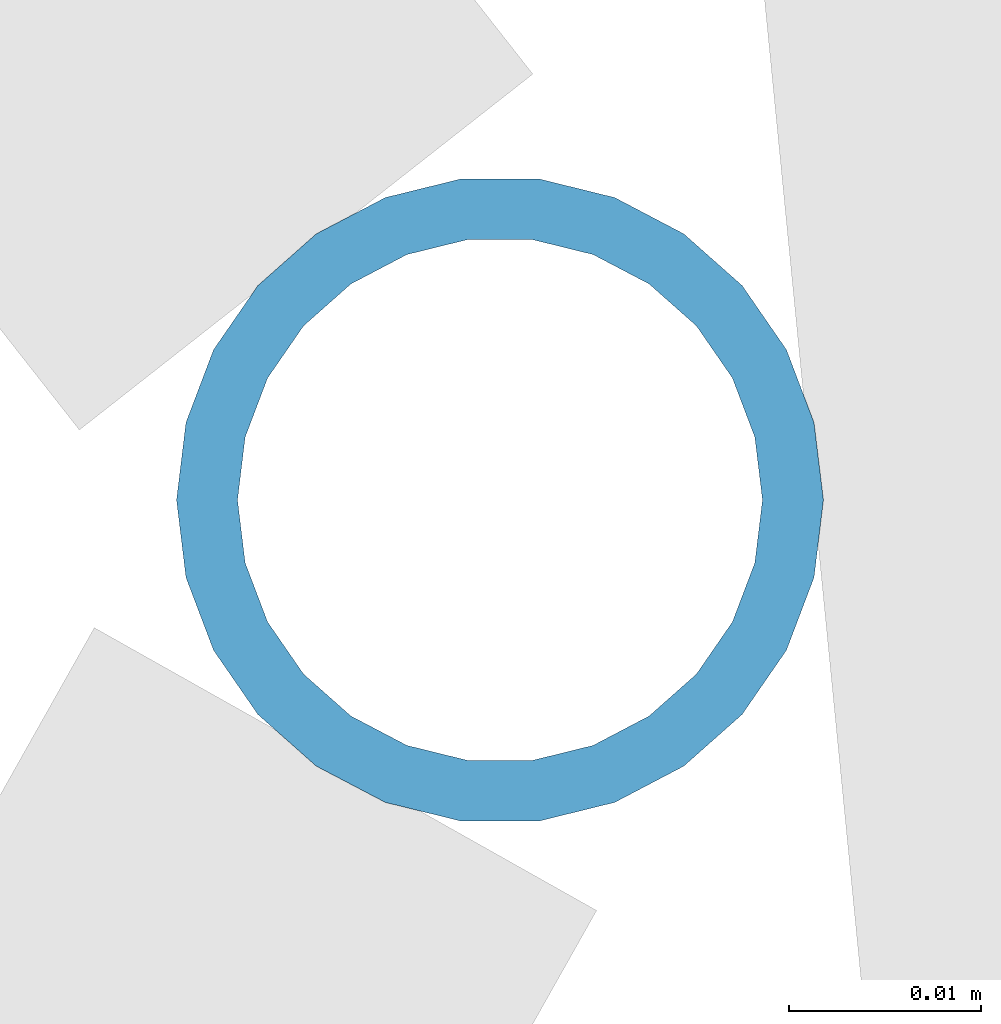
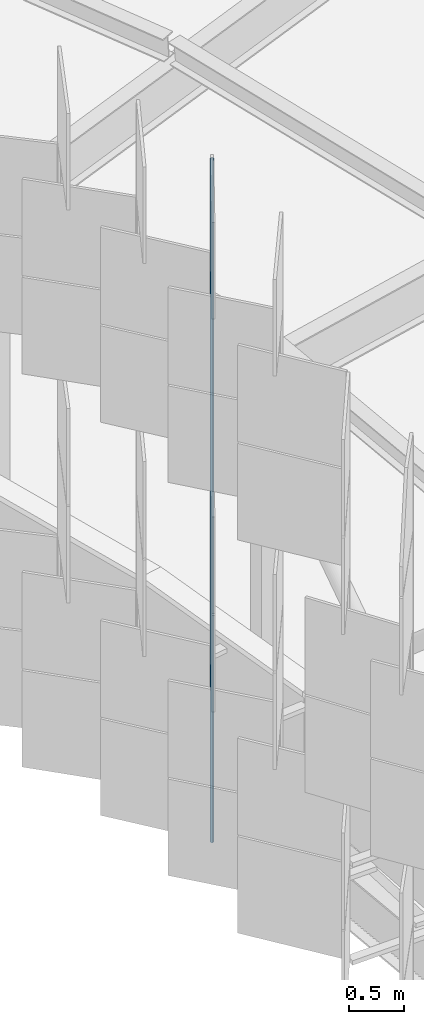
# One storey, part 203 of 483: 1 discrete accessory.
"""IFC4 building model written with IfcOpenShell, lengths in metres."""

import ifcopenshell
import ifcopenshell.guid

model = None  # the IFC model being written
_history = None  # IfcOwnerHistory: only IFC2X3 demands one
_inside = {}  # id of a spatial element -> (the spatial element, [elements in it])
_under = {}  # id of a project, library or spatial element -> (it, [spatial elements below it])
_declared = {}  # id of a project -> (the project, [libraries it declares])
_typed = {}  # id of a type object -> (the type object, [elements of that type])
_made_of = {}  # id of a material, layer set ... -> (it, [elements and type objects made of it])


def new_model(schema):
    """Start an empty IFC model of exactly this schema.

    Asked for "IFC4X3", IfcOpenShell would pick the latest addendum, in which some entities
    have other attributes; the version numbers below select the first issue.
    IFC2X3 requires an IfcOwnerHistory on every rooted entity: one is made here for all.
    """
    global model, _history
    if schema == "IFC4X3":
        model = ifcopenshell.file(schema_version=(4, 3, 0, 0))
    else:
        model = ifcopenshell.file(schema=schema)
    _inside.clear()
    _under.clear()
    _declared.clear()
    _typed.clear()
    _made_of.clear()
    _history = None
    if model.schema == "IFC2X3":
        org = make("IfcOrganization", Name="unknown")
        user = make(
            "IfcPersonAndOrganization",
            ThePerson=make("IfcPerson", FamilyName="unknown"),
            TheOrganization=org,
        )
        app = make(
            "IfcApplication",
            ApplicationDeveloper=org,
            Version="unknown",
            ApplicationFullName="unknown",
            ApplicationIdentifier="unknown",
        )
        _history = make(
            "IfcOwnerHistory",
            OwningUser=user,
            OwningApplication=app,
            ChangeAction="ADDED",
            CreationDate=0,
        )
    return model


def make(cls, **values):
    """One entity of the class cls with the attributes given. An attribute that is None is left unset."""
    return model.create_entity(
        cls, **{name: value for name, value in values.items() if value is not None}
    )


def rooted(cls, **values):
    """An entity with a GlobalId (a new one), such as an element, a storey or a relation."""
    return make(cls, GlobalId=ifcopenshell.guid.new(), OwnerHistory=_history, **values)


def si_unit(unit_type, name, prefix=None):
    """IfcSIUnit, for example si_unit("LENGTHUNIT", "METRE", prefix="MILLI")."""
    return make("IfcSIUnit", UnitType=unit_type, Prefix=prefix, Name=name)


def assignment(units):
    """IfcUnitAssignment: the units of a project."""
    return None if units is None else make("IfcUnitAssignment", Units=units)


def point(xyz):
    """IfcCartesianPoint."""
    return None if xyz is None else make("IfcCartesianPoint", Coordinates=xyz)


def direction(xyz):
    """IfcDirection."""
    return None if xyz is None else make("IfcDirection", DirectionRatios=xyz)


def frame(location, z_axis=None, x_axis=None):
    """IfcAxis2Placement3D, a coordinate frame: its origin and axes. An axis left out is left unset."""
    return make(
        "IfcAxis2Placement3D",
        Location=point(location),
        Axis=direction(z_axis),
        RefDirection=direction(x_axis),
    )


def frame_2d(location, x_axis=None):
    """IfcAxis2Placement2D, a coordinate frame in the plane: its origin and x axis."""
    return make(
        "IfcAxis2Placement2D", Location=point(location), RefDirection=direction(x_axis)
    )


def origin():
    """The frame at (0, 0, 0) with its axes left unset."""
    return frame((0.0, 0.0, 0.0))


def origin_2d():
    """The frame at (0, 0) in the plane with its x axis left unset."""
    return frame_2d((0.0, 0.0))


def place(relative_to, where):
    """IfcLocalPlacement: puts the frame where relative to a parent placement (None: the world)."""
    return make(
        "IfcLocalPlacement", PlacementRelTo=relative_to, RelativePlacement=where
    )


def context(
    kind, dimensions, precision=None, world=None, true_north=None, identifier=None
):
    """IfcGeometricRepresentationContext, for example the 3D "Model" context."""
    return make(
        "IfcGeometricRepresentationContext",
        ContextIdentifier=identifier,
        ContextType=kind,
        CoordinateSpaceDimension=dimensions,
        Precision=precision,
        WorldCoordinateSystem=world,
        TrueNorth=true_north,
    )


def subcontext(parent, identifier, kind, view, scale=None):
    """IfcGeometricRepresentationSubContext, for example "Body" below "Model"."""
    return make(
        "IfcGeometricRepresentationSubContext",
        ContextIdentifier=identifier,
        ContextType=kind,
        ParentContext=parent,
        TargetScale=scale,
        TargetView=view,
    )


def project(units=None, contexts=None):
    """IfcProject with its units and contexts."""
    return rooted(
        "IfcProject",
        Name="project",
        RepresentationContexts=contexts,
        UnitsInContext=assignment(units),
    )


def spatial(cls, under=None, at=None, **own):
    """A site, building, storey or space (cls), placed at a placement, below another one or the project."""
    s = rooted(cls, ObjectPlacement=at, **own)
    if under is not None:
        _under.setdefault(under.id(), (under, []))[1].append(s)
    return s


def profile(cls, at=None, kind="AREA", **sizes):
    """A parametric profile (cls). Its sizes go by their IFC names, for example OverallWidth=200.0."""
    return make(cls, ProfileType=kind, Position=at, **sizes)


def hollow_circle(**sizes):
    """IfcCircleHollowProfileDef."""
    return profile("IfcCircleHollowProfileDef", **sizes)


def extrude(swept, where, along, depth):
    """IfcExtrudedAreaSolid: the profile swept, set in the frame where, extruded along a direction by depth."""
    return make(
        "IfcExtrudedAreaSolid",
        SweptArea=swept,
        Position=where,
        ExtrudedDirection=direction(along),
        Depth=depth,
    )


def shape(context_of_items, identifier, shape_type, items):
    """IfcShapeRepresentation: the items that make up one representation, for example the "Body"."""
    return make(
        "IfcShapeRepresentation",
        ContextOfItems=context_of_items,
        RepresentationIdentifier=identifier,
        RepresentationType=shape_type,
        Items=items,
    )


def material(Name=None, Category=None):
    """IfcMaterial."""
    return make("IfcMaterial", Name=Name, Category=Category)


def material_profile(
    of_material, cross_section, Name=None, Category=None, Priority=None
):
    """IfcMaterialProfile: a cross section and its material."""
    return make(
        "IfcMaterialProfile",
        Name=Name,
        Material=of_material,
        Profile=cross_section,
        Priority=Priority,
        Category=Category,
    )


def profile_set(profiles, Name=None, composite=None):
    """IfcMaterialProfileSet."""
    return make(
        "IfcMaterialProfileSet",
        Name=Name,
        MaterialProfiles=profiles,
        CompositeProfile=composite,
    )


def made_of(thing, what):
    """Note that an element or type object is made of a material, layer set ...; save() writes the relation."""
    if what is not None:
        _made_of.setdefault(what.id(), (what, []))[1].append(thing)
    return thing


def type_object(cls, material=None, **own):
    """A type object (cls), such as IfcWallType, which elements share."""
    return made_of(rooted(cls, **own), material)


def element(
    cls,
    number,
    at=None,
    inside=None,
    cuts=None,
    type_object=None,
    material=None,
    context=None,
    identifier="Body",
    shape_type=None,
    held_by="IfcProductDefinitionShape",
    body=None,
    shapes=None,
    **own,
):
    """One element of the class cls, such as IfcWall. Its Tag is "e" and its number.

    at: its placement. inside: the storey or other place that contains it. cuts: it is an
    opening in that element (IfcRelVoidsElement). A single representation is given by context,
    identifier, shape_type and body (its items); several are given by shapes. held_by: the class
    of the entity that holds the representations. save() writes the other relations.
    """
    e = rooted(cls, Tag="e%d" % number, ObjectPlacement=at, **own)
    if body is not None:
        shapes = [shape(context, identifier, shape_type, body)]
    if shapes is not None:
        e.Representation = make(held_by, Representations=shapes)
    if inside is not None:
        _inside.setdefault(inside.id(), (inside, []))[1].append(e)
    if cuts is not None:
        rooted(
            "IfcRelVoidsElement", RelatingBuildingElement=cuts, RelatedOpeningElement=e
        )
    if type_object is not None:
        _typed.setdefault(type_object.id(), (type_object, []))[1].append(e)
    return made_of(e, material)


def aggregate(whole, parts):
    """IfcRelAggregates: a whole, such as a stair, and the parts it consists of."""
    return rooted("IfcRelAggregates", RelatingObject=whole, RelatedObjects=parts)


def save(model, path):
    """Write the relations noted so far, then the file.

    IfcRelAggregates (storeys below a building ...), IfcRelContainedInSpatialStructure (elements
    in a storey), IfcRelDefinesByType, IfcRelAssociatesMaterial and IfcRelDeclares: one each for
    every whole, place, type object, material and project.
    """
    for whole, parts in _under.values():
        aggregate(whole, parts)
    for where, things in _inside.values():
        rooted(
            "IfcRelContainedInSpatialStructure",
            RelatedElements=things,
            RelatingStructure=where,
        )
    for kind, things in _typed.values():
        rooted("IfcRelDefinesByType", RelatedObjects=things, RelatingType=kind)
    for what, things in _made_of.values():
        rooted("IfcRelAssociatesMaterial", RelatedObjects=things, RelatingMaterial=what)
    for by, libraries in _declared.values():
        rooted("IfcRelDeclares", RelatingContext=by, RelatedDefinitions=libraries)
    model.write(path)


model = new_model("IFC4")

# Units and contexts
model_context = context("Model", 3, precision=1e-05, world=origin(), true_north=direction((0.0, 1.0)))
body_context = subcontext(model_context, "Body", "Model", "MODEL_VIEW")
ifc_project = project(units=[si_unit("LENGTHUNIT", "METRE"), si_unit("AREAUNIT", "SQUARE_METRE"), si_unit("VOLUMEUNIT", "CUBIC_METRE"), si_unit("PLANEANGLEUNIT", "RADIAN"), si_unit("MASSUNIT", "GRAM", prefix="KILO")], contexts=[model_context])

# Site, building, storey
site_placement = place(None, origin())
site = spatial("IfcSite", under=ifc_project, at=site_placement, CompositionType="ELEMENT")
building_placement = place(site_placement, origin())
building = spatial("IfcBuilding", under=site, at=building_placement, Name="Parallax Yard Mobility Hub", CompositionType="ELEMENT")
storey_placement = place(building_placement, frame((0.0, 0.0, 13.199951171875)))
storey = spatial("IfcBuildingStorey", under=building, at=storey_placement, Name="L04", CompositionType="ELEMENT", Elevation=13.199951171875)

# Discrete accessory
ifc_material = material(Name="Steel ASTM A500 Gr C, hot-dip galvanised", Category="steel")
ifc_material_profile = material_profile(ifc_material, hollow_circle(Radius=0.016845703125, WallThickness=0.003173828125, at=origin_2d()), Name="CHS 33.7x3.2")
ifc_profile_set = profile_set([ifc_material_profile], Name="Steel ASTM A500 Gr C, hot-dip galvanised")
discrete_accessory_type = type_object("IfcDiscreteAccessoryType", Name="Hinge post CHS 33.7x3.2", PredefinedType="BRACKET", material=ifc_profile_set)
discrete_accessory_placement = place(storey_placement, frame((193.870361328125, 92.25048828125, 0.0), z_axis=(0.0, 0.0, 1.0), x_axis=(1.0, 0.0, 0.0)))
element("IfcDiscreteAccessory", 1, at=discrete_accessory_placement, inside=storey, type_object=discrete_accessory_type, Name="Hinge post bay 22.5 level L04", PredefinedType="BRACKET", context=body_context, shape_type="SweptSolid", body=[
    extrude(hollow_circle(Radius=0.016845703125, WallThickness=0.003173828125, at=origin_2d()), origin(), (0.0, 0.0, 1.0), 7.650146484375),
])

save(model, "model.ifc")
